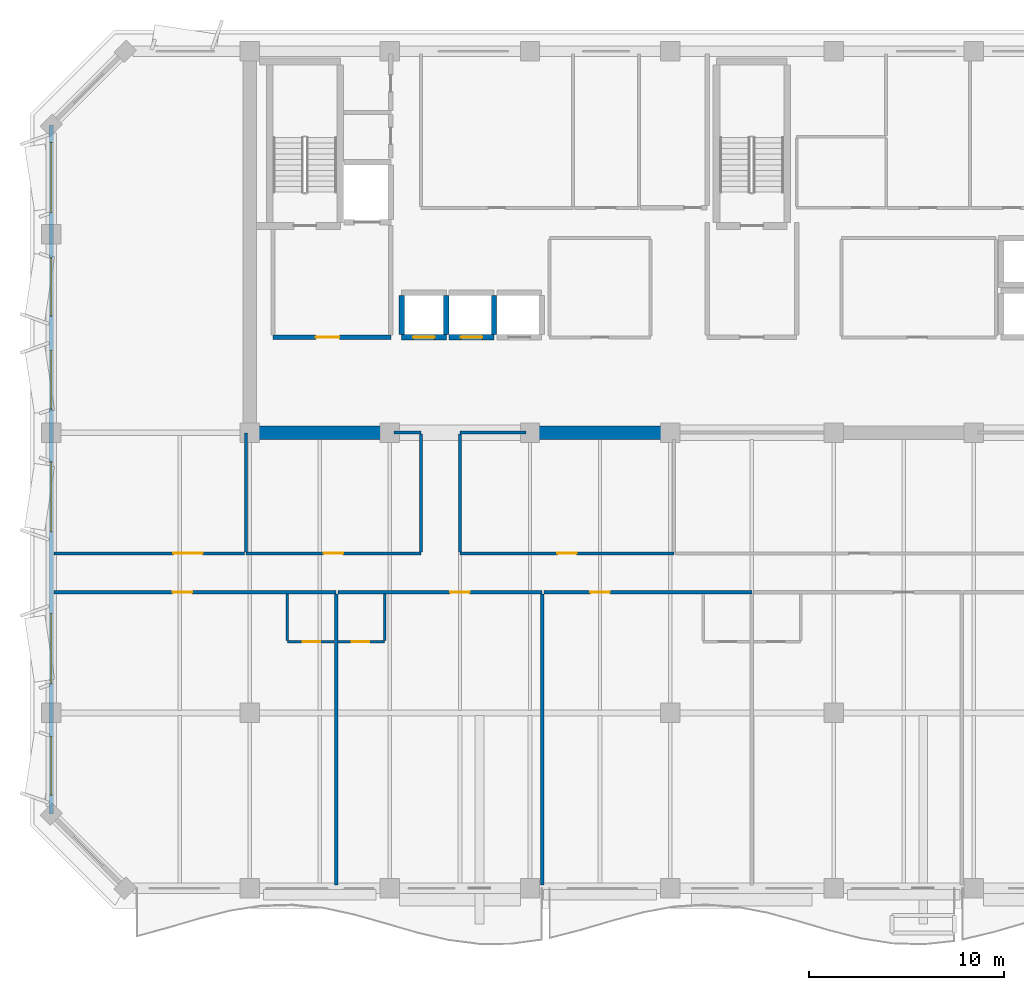
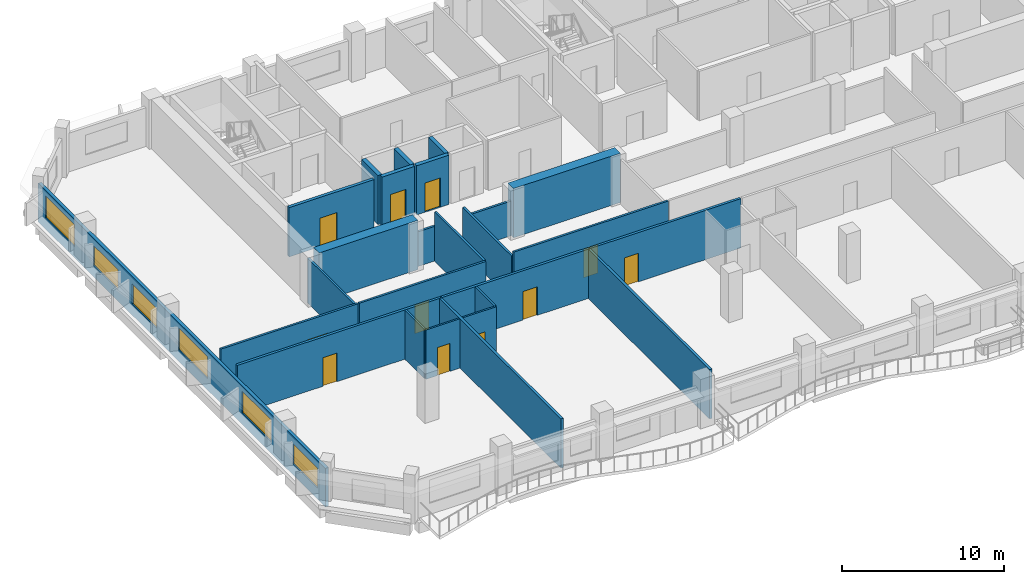
# One storey, part 3 of 10: 26 walls, 11 doors, 6 windows, 17 openings.
"""IFC4 building model written with IfcOpenShell, lengths in metres."""

from ifc_helpers import new_model, si_unit, direction, frame, frame_2d, origin, place, context, subcontext, project, spatial, rectangle, extrude, material, layer, layer_set, type_object, element, fill, save


model = new_model("IFC4")

# Units and contexts
model_context = context("Model", 3, precision=1e-05, world=origin(), true_north=direction((0.0, 1.0)))
body_context = subcontext(model_context, "Body", "Model", "MODEL_VIEW")
ifc_project = project(units=[si_unit("LENGTHUNIT", "METRE"), si_unit("AREAUNIT", "SQUARE_METRE"), si_unit("VOLUMEUNIT", "CUBIC_METRE"), si_unit("PLANEANGLEUNIT", "RADIAN"), si_unit("MASSUNIT", "GRAM", prefix="KILO")], contexts=[model_context])

# Site, building, storey
site_placement = place(None, origin())
site = spatial("IfcSite", under=ifc_project, at=site_placement, CompositionType="ELEMENT")
building_placement = place(site_placement, origin())
building = spatial("IfcBuilding", under=site, at=building_placement, Name="Kaelvorn Grand Hotel", CompositionType="ELEMENT")
storey_placement = place(building_placement, frame((0.0, 0.0, 260.75)))
storey = spatial("IfcBuildingStorey", under=building, at=storey_placement, Name="L64", CompositionType="ELEMENT", Elevation=260.75)

# Walls
ifc_material_1 = material(Name="Concrete C50/60", Category="concrete")
ifc_layer_1 = layer(ifc_material_1, 0.699951171875)
ifc_layer_set_1 = layer_set([ifc_layer_1], Name="Concrete C50/60")
wall_type_1 = type_object("IfcWallType", Name="WL-CORE-700-C50", PredefinedType="SHEAR", material=ifc_layer_set_1)
wall_1_placement = place(storey_placement, frame((16.554931640625, 29.39990234375, 0.0), z_axis=(0.0, 0.0, 1.0), x_axis=(1.0, 0.0, 0.0)))
element("IfcWall", 1, at=wall_1_placement, inside=storey, type_object=wall_type_1, Name="L64 Rear-Core Coupled Shear Pier S1", PredefinedType="SHEAR", context=body_context, shape_type="SweptSolid", body=[
    extrude(rectangle(XDim=7.045166015625, YDim=0.699951171875, at=frame_2d((3.5224609375, 0.0))), origin(), (0.0, 0.0, 1.0), 3.7099609375),
])
wall_2_placement = place(storey_placement, frame((30.39990234375, 29.39990234375, 0.0), z_axis=(0.0, 0.0, 1.0), x_axis=(1.0, 0.0, 0.0)))
element("IfcWall", 2, at=wall_2_placement, inside=storey, type_object=wall_type_1, Name="L64 Rear-Core Coupled Shear Pier S2", PredefinedType="SHEAR", context=body_context, shape_type="SweptSolid", body=[
    extrude(rectangle(XDim=7.60009765625, YDim=0.699951171875, at=frame_2d((3.800048828125, 0.0))), origin(), (0.0, 0.0, 1.0), 3.7099609375),
])

# Wall, openings, windows
ifc_material_2 = material(Name="Concrete C40/50", Category="concrete")
ifc_layer_2 = layer(ifc_material_2, 0.219970703125)
ifc_layer_set_2 = layer_set([ifc_layer_2], Name="Concrete C40/50")
wall_type_2 = type_object("IfcWallType", Name="WL-EXT-220-C40", PredefinedType="SOLIDWALL", material=ifc_layer_set_2)
wall_3_placement = place(storey_placement, frame((6.0, 45.199951171875, 0.0), z_axis=(0.0, 0.0, 1.0), x_axis=(0.0, -1.0, 0.0)))
wall_3 = element("IfcWall", 3, at=wall_3_placement, inside=storey, type_object=wall_type_2, Name="L64 Exterior Architectural Concrete Wall 07", PredefinedType="SOLIDWALL", context=body_context, shape_type="SweptSolid", body=[
    extrude(rectangle(XDim=35.39990234375, YDim=0.219970703125, at=frame_2d((17.699951171875, 0.0))), origin(), (0.0, 0.0, 1.0), 2.909912109375),
])
opening_1_placement = place(wall_3_placement, frame((31.4150390625, 0.0, 0.85009765625)))
opening_1 = element("IfcOpeningElement", 4, at=opening_1_placement, cuts=wall_3, Name="Opening W5", PredefinedType="OPENING", context=body_context, shape_type="SweptSolid", body=[
    extrude(rectangle(XDim=3.0, YDim=1.5, at=frame_2d((1.5, 0.75))), frame((0.0, 0.1201171875, 0.0), z_axis=(0.0, -1.0, 0.0), x_axis=(1.0, 0.0, 0.0)), (0.0, 0.0, 1.0), 0.239990234375),
])
opening_2_placement = place(wall_3_placement, frame((25.10009765625, 0.0, 0.85009765625)))
opening_2 = element("IfcOpeningElement", 5, at=opening_2_placement, cuts=wall_3, Name="Opening W3", PredefinedType="OPENING", context=body_context, shape_type="SweptSolid", body=[
    extrude(rectangle(XDim=3.60009765625, YDim=1.64990234375, at=frame_2d((1.800048828125, 0.824951171875))), frame((0.0, 0.1201171875, 0.0), z_axis=(0.0, -1.0, 0.0), x_axis=(1.0, 0.0, 0.0)), (0.0, 0.0, 1.0), 0.239990234375),
])
opening_3_placement = place(wall_3_placement, frame((17.300048828125, 0.0, 0.85009765625)))
opening_3 = element("IfcOpeningElement", 6, at=opening_3_placement, cuts=wall_3, Name="Opening W3", PredefinedType="OPENING", context=body_context, shape_type="SweptSolid", body=[
    extrude(rectangle(XDim=3.60009765625, YDim=1.64990234375, at=frame_2d((1.800048828125, 0.824951171875))), frame((0.0, 0.1201171875, 0.0), z_axis=(0.0, -1.0, 0.0), x_axis=(1.0, 0.0, 0.0)), (0.0, 0.0, 1.0), 0.239990234375),
])
opening_4_placement = place(wall_3_placement, frame((11.5849609375, 0.0, 0.85009765625)))
opening_4 = element("IfcOpeningElement", 7, at=opening_4_placement, cuts=wall_3, Name="Opening W5", PredefinedType="OPENING", context=body_context, shape_type="SweptSolid", body=[
    extrude(rectangle(XDim=3.0, YDim=1.5, at=frame_2d((1.5, 0.75))), frame((0.0, 0.1201171875, 0.0), z_axis=(0.0, -1.0, 0.0), x_axis=(1.0, 0.0, 0.0)), (0.0, 0.0, 1.0), 0.239990234375),
])
opening_5_placement = place(wall_3_placement, frame((6.81494140625, 0.0, 0.85009765625)))
opening_5 = element("IfcOpeningElement", 8, at=opening_5_placement, cuts=wall_3, Name="Opening W5", PredefinedType="OPENING", context=body_context, shape_type="SweptSolid", body=[
    extrude(rectangle(XDim=3.0, YDim=1.5, at=frame_2d((1.5, 0.75))), frame((0.0, 0.1201171875, 0.0), z_axis=(0.0, -1.0, 0.0), x_axis=(1.0, 0.0, 0.0)), (0.0, 0.0, 1.0), 0.239990234375),
])
opening_6_placement = place(wall_3_placement, frame((0.885009765625, 0.0, 0.85009765625)))
opening_6 = element("IfcOpeningElement", 9, at=opening_6_placement, cuts=wall_3, Name="Opening W3", PredefinedType="OPENING", context=body_context, shape_type="SweptSolid", body=[
    extrude(rectangle(XDim=3.60009765625, YDim=1.64990234375, at=frame_2d((1.800048828125, 0.824951171875))), frame((0.0, 0.1201171875, 0.0), z_axis=(0.0, -1.0, 0.0), x_axis=(1.0, 0.0, 0.0)), (0.0, 0.0, 1.0), 0.239990234375),
])
ifc_material_3 = material(Name="Laminated Low-E Glass", Category="glass")
window_type_1 = type_object("IfcWindowType", Name="WIN-NTH-3000x1500", PartitioningType="SINGLE_PANEL", PredefinedType="WINDOW", material=ifc_material_3)
window_1_placement = place(opening_1_placement, origin())
window_1 = element("IfcWindow", 10, at=window_1_placement, inside=storey, type_object=window_type_1, Name="L64 W Wing Tilted-Frame Ribbon Window W01", OverallHeight=1.5, OverallWidth=3.0, PartitioningType="SINGLE_PANEL", PredefinedType="WINDOW", context=body_context, shape_type="SweptSolid", body=[
    extrude(rectangle(XDim=3.0, YDim=1.5, at=frame_2d((1.5, 0.75))), frame((0.0, 0.030029296875, 0.0), z_axis=(0.0, -1.0, 0.0), x_axis=(1.0, 0.0, 0.0)), (0.0, 0.0, 1.0), 0.06005859375),
])
fill(opening_1, window_1)
window_2_placement = place(opening_4_placement, origin())
window_2 = element("IfcWindow", 11, at=window_2_placement, inside=storey, type_object=window_type_1, Name="L64 W Wing Tilted-Frame Ribbon Window W04", OverallHeight=1.5, OverallWidth=3.0, PartitioningType="SINGLE_PANEL", PredefinedType="WINDOW", context=body_context, shape_type="SweptSolid", body=[
    extrude(rectangle(XDim=3.0, YDim=1.5, at=frame_2d((1.5, 0.75))), frame((0.0, 0.030029296875, 0.0), z_axis=(0.0, -1.0, 0.0), x_axis=(1.0, 0.0, 0.0)), (0.0, 0.0, 1.0), 0.06005859375),
])
fill(opening_4, window_2)
window_3_placement = place(opening_5_placement, origin())
window_3 = element("IfcWindow", 12, at=window_3_placement, inside=storey, type_object=window_type_1, Name="L64 W Wing Tilted-Frame Ribbon Window W05", OverallHeight=1.5, OverallWidth=3.0, PartitioningType="SINGLE_PANEL", PredefinedType="WINDOW", context=body_context, shape_type="SweptSolid", body=[
    extrude(rectangle(XDim=3.0, YDim=1.5, at=frame_2d((1.5, 0.75))), frame((0.0, 0.030029296875, 0.0), z_axis=(0.0, -1.0, 0.0), x_axis=(1.0, 0.0, 0.0)), (0.0, 0.0, 1.0), 0.06005859375),
])
fill(opening_5, window_3)
window_type_2 = type_object("IfcWindowType", Name="WIN-RIB-3600x1750", PartitioningType="SINGLE_PANEL", PredefinedType="WINDOW", material=ifc_material_3)
window_4_placement = place(opening_2_placement, origin())
window_4 = element("IfcWindow", 13, at=window_4_placement, inside=storey, type_object=window_type_2, Name="L64 W Wing Tilted-Frame Ribbon Window W02", OverallHeight=1.64990234375, OverallWidth=3.60009765625, PartitioningType="SINGLE_PANEL", PredefinedType="WINDOW", context=body_context, shape_type="SweptSolid", body=[
    extrude(rectangle(XDim=3.60009765625, YDim=1.64990234375, at=frame_2d((1.800048828125, 0.824951171875))), frame((0.0, 0.030029296875, 0.0), z_axis=(0.0, -1.0, 0.0), x_axis=(1.0, 0.0, 0.0)), (0.0, 0.0, 1.0), 0.06005859375),
])
fill(opening_2, window_4)
window_5_placement = place(opening_3_placement, origin())
window_5 = element("IfcWindow", 14, at=window_5_placement, inside=storey, type_object=window_type_2, Name="L64 W Wing Tilted-Frame Ribbon Window W03", OverallHeight=1.64990234375, OverallWidth=3.60009765625, PartitioningType="SINGLE_PANEL", PredefinedType="WINDOW", context=body_context, shape_type="SweptSolid", body=[
    extrude(rectangle(XDim=3.60009765625, YDim=1.64990234375, at=frame_2d((1.800048828125, 0.824951171875))), frame((0.0, 0.030029296875, 0.0), z_axis=(0.0, -1.0, 0.0), x_axis=(1.0, 0.0, 0.0)), (0.0, 0.0, 1.0), 0.06005859375),
])
fill(opening_3, window_5)
window_6_placement = place(opening_6_placement, origin())
window_6 = element("IfcWindow", 15, at=window_6_placement, inside=storey, type_object=window_type_2, Name="L64 W Wing Tilted-Frame Ribbon Window W06", OverallHeight=1.64990234375, OverallWidth=3.60009765625, PartitioningType="SINGLE_PANEL", PredefinedType="WINDOW", context=body_context, shape_type="SweptSolid", body=[
    extrude(rectangle(XDim=3.60009765625, YDim=1.64990234375, at=frame_2d((1.800048828125, 0.824951171875))), frame((0.0, 0.030029296875, 0.0), z_axis=(0.0, -1.0, 0.0), x_axis=(1.0, 0.0, 0.0)), (0.0, 0.0, 1.0), 0.06005859375),
])
fill(opening_6, window_6)

# Wall, opening, door
ifc_material_4 = material(Name="Moisture-Resistant Tile & Stud Board")
ifc_layer_3 = layer(ifc_material_4, 0.125)
ifc_layer_set_3 = layer_set([ifc_layer_3], Name="Moisture-Resistant Tile & Stud Board")
wall_type_3 = type_object("IfcWallType", Name="WL-PART-125-WET", PredefinedType="PARTITIONING", material=ifc_layer_set_3)
wall_4_placement = place(storey_placement, frame((18.13330078125, 18.64990234375, 0.0), z_axis=(0.0, 0.0, 1.0), x_axis=(1.0, 0.0, 0.0)))
wall_4 = element("IfcWall", 16, at=wall_4_placement, inside=storey, type_object=wall_type_3, Name="L64 En-suite Bathroom L64-01 S Partition", PredefinedType="PARTITIONING", context=body_context, shape_type="SweptSolid", body=[
    extrude(rectangle(XDim=2.405029296875, YDim=0.125, at=frame_2d((1.20263671875, 0.0))), origin(), (0.0, 0.0, 1.0), 3.7099609375),
])
opening_7_placement = place(wall_4_placement, frame((0.800048828125, 0.0, 0.0)))
opening_7 = element("IfcOpeningElement", 17, at=opening_7_placement, cuts=wall_4, Name="Opening DI4", PredefinedType="OPENING", context=body_context, shape_type="SweptSolid", body=[
    extrude(rectangle(XDim=0.89990234375, YDim=2.10009765625, at=frame_2d((0.449951171875, 1.050048828125))), frame((0.0, 0.072509765625, 0.0), z_axis=(0.0, -1.0, 0.0), x_axis=(1.0, 0.0, 0.0)), (0.0, 0.0, 1.0), 0.14501953125),
])
ifc_material_5 = material(Name="Timber Veneer Leaf", Category="wood")
door_type_1 = type_object("IfcDoorType", Name="DR-INT-BATH-900x2100", OperationType="NOTDEFINED", PredefinedType="DOOR", material=ifc_material_5)
door_1_placement = place(opening_7_placement, origin())
door_1 = element("IfcDoor", 18, at=door_1_placement, inside=storey, type_object=door_type_1, Name="L64 En-suite Bathroom L64-01 Door", OperationType="SINGLE_SWING_RIGHT", OverallHeight=2.10009765625, OverallWidth=0.89990234375, PredefinedType="DOOR", context=body_context, shape_type="SweptSolid", body=[
    extrude(rectangle(XDim=0.89990234375, YDim=2.10009765625, at=frame_2d((0.449951171875, 1.050048828125))), frame((0.0, 0.02490234375, 0.0), z_axis=(0.0, -1.0, 0.0), x_axis=(1.0, 0.0, 0.0)), (0.0, 0.0, 1.0), 0.050048828125),
])
fill(opening_7, door_1)

# Wall
wall_5_placement = place(storey_placement, frame((18.13330078125, 18.717529296875, 0.0), z_axis=(0.0, 0.0, 1.0), x_axis=(0.0, 1.0, 0.0)))
element("IfcWall", 19, at=wall_5_placement, inside=storey, type_object=wall_type_3, Name="L64 En-suite Bathroom L64-01 W Partition", PredefinedType="PARTITIONING", context=body_context, shape_type="SweptSolid", body=[
    extrude(rectangle(XDim=2.387451171875, YDim=0.125, at=frame_2d((1.19384765625, 0.0))), origin(), (0.0, 0.0, 1.0), 3.7099609375),
])

# Wall, opening, door
wall_6_placement = place(storey_placement, frame((20.728515625, 18.64990234375, 0.0), z_axis=(0.0, 0.0, 1.0), x_axis=(1.0, 0.0, 0.0)))
wall_6 = element("IfcWall", 20, at=wall_6_placement, inside=storey, type_object=wall_type_3, Name="L64 En-suite Bathroom L64-02 S Partition", PredefinedType="PARTITIONING", context=body_context, shape_type="SweptSolid", body=[
    extrude(rectangle(XDim=2.40478515625, YDim=0.125, at=frame_2d((1.202392578125, 0.0))), origin(), (0.0, 0.0, 1.0), 3.7099609375),
])
opening_8_placement = place(wall_6_placement, frame((0.705078125, 0.0, 0.0)))
opening_8 = element("IfcOpeningElement", 21, at=opening_8_placement, cuts=wall_6, Name="Opening DI4", PredefinedType="OPENING", context=body_context, shape_type="SweptSolid", body=[
    extrude(rectangle(XDim=0.89990234375, YDim=2.10009765625, at=frame_2d((0.449951171875, 1.050048828125))), frame((0.0, 0.072509765625, 0.0), z_axis=(0.0, -1.0, 0.0), x_axis=(1.0, 0.0, 0.0)), (0.0, 0.0, 1.0), 0.14501953125),
])
door_2_placement = place(opening_8_placement, origin())
door_2 = element("IfcDoor", 22, at=door_2_placement, inside=storey, type_object=door_type_1, Name="L64 En-suite Bathroom L64-02 Door", OperationType="SINGLE_SWING_RIGHT", OverallHeight=2.10009765625, OverallWidth=0.89990234375, PredefinedType="DOOR", context=body_context, shape_type="SweptSolid", body=[
    extrude(rectangle(XDim=0.89990234375, YDim=2.10009765625, at=frame_2d((0.449951171875, 1.050048828125))), frame((0.0, 0.02490234375, 0.0), z_axis=(0.0, -1.0, 0.0), x_axis=(1.0, 0.0, 0.0)), (0.0, 0.0, 1.0), 0.050048828125),
])
fill(opening_8, door_2)

# Wall
wall_7_placement = place(storey_placement, frame((23.13330078125, 18.717529296875, 0.0), z_axis=(0.0, 0.0, 1.0), x_axis=(0.0, 1.0, 0.0)))
element("IfcWall", 23, at=wall_7_placement, inside=storey, type_object=wall_type_3, Name="L64 En-suite Bathroom L64-02 E Partition", PredefinedType="PARTITIONING", context=body_context, shape_type="SweptSolid", body=[
    extrude(rectangle(XDim=2.387451171875, YDim=0.125, at=frame_2d((1.19384765625, 0.0))), origin(), (0.0, 0.0, 1.0), 3.7099609375),
])

# Wall, opening, door
ifc_material_6 = material(Name="Acoustic Gypsum & Stud Partition")
ifc_layer_4 = layer(ifc_material_6, 0.14990234375)
ifc_layer_set_4 = layer_set([ifc_layer_4], Name="Acoustic Gypsum & Stud Partition")
wall_type_4 = type_object("IfcWallType", Name="WL-PART-150-EI60", PredefinedType="PARTITIONING", material=ifc_layer_set_4)
wall_8_placement = place(storey_placement, frame((16.0, 23.199951171875, 0.0), z_axis=(0.0, 0.0, 1.0), x_axis=(1.0, 0.0, 0.0)))
wall_8 = element("IfcWall", 24, at=wall_8_placement, inside=storey, type_object=wall_type_4, Name="L64 Reading Library Lounge S Partition", PredefinedType="PARTITIONING", context=body_context, shape_type="SweptSolid", body=[
    extrude(rectangle(XDim=9.0, YDim=0.14990234375, at=frame_2d((4.5, 0.0))), origin(), (0.0, 0.0, 1.0), 3.7099609375),
])
opening_9_placement = place(wall_8_placement, frame((4.0, 0.0, 0.0)))
opening_9 = element("IfcOpeningElement", 25, at=opening_9_placement, cuts=wall_8, Name="Opening DI3", PredefinedType="OPENING", context=body_context, shape_type="SweptSolid", body=[
    extrude(rectangle(XDim=1.0, YDim=2.14990234375, at=frame_2d((0.5, 1.074951171875))), frame((0.0, 0.0849609375, 0.0), z_axis=(0.0, -1.0, 0.0), x_axis=(1.0, 0.0, 0.0)), (0.0, 0.0, 1.0), 0.169921875),
])
ifc_material_7 = material(Name="Timber Veneer Fire Leaf", Category="wood")
door_type_2 = type_object("IfcDoorType", Name="DR-INT-GUEST-1000x2150", OperationType="NOTDEFINED", PredefinedType="DOOR", material=ifc_material_7)
door_3_placement = place(opening_9_placement, origin())
door_3 = element("IfcDoor", 26, at=door_3_placement, inside=storey, type_object=door_type_2, Name="L64 Reading Library Lounge Door", OperationType="SINGLE_SWING_LEFT", OverallHeight=2.14990234375, OverallWidth=1.0, PredefinedType="DOOR", context=body_context, shape_type="SweptSolid", body=[
    extrude(rectangle(XDim=1.0, YDim=2.14990234375, at=frame_2d((0.5, 1.074951171875))), frame((0.0, 0.02490234375, 0.0), z_axis=(0.0, -1.0, 0.0), x_axis=(1.0, 0.0, 0.0)), (0.0, 0.0, 1.0), 0.050048828125),
])
fill(opening_9, door_3)

# Walls
wall_9_placement = place(storey_placement, frame((23.610107421875, 29.39990234375, 0.0), z_axis=(0.0, 0.0, 1.0), x_axis=(1.0, 0.0, 0.0)))
element("IfcWall", 27, at=wall_9_placement, inside=storey, type_object=wall_type_4, Name="L64 Reading Library Lounge N Partition", PredefinedType="PARTITIONING", context=body_context, shape_type="SweptSolid", body=[
    extrude(rectangle(XDim=1.389892578125, YDim=0.14990234375, at=frame_2d((0.69482421875, 0.0))), origin(), (0.0, 0.0, 1.0), 2.610107421875),
])
wall_10_placement = place(storey_placement, frame((16.0, 23.280029296875, 0.0), z_axis=(0.0, 0.0, 1.0), x_axis=(0.0, 1.0, 0.0)))
element("IfcWall", 28, at=wall_10_placement, inside=storey, type_object=wall_type_4, Name="L64 Reading Library Lounge W Partition", PredefinedType="PARTITIONING", context=body_context, shape_type="SweptSolid", body=[
    extrude(rectangle(XDim=6.10986328125, YDim=0.14990234375, at=frame_2d((3.054931640625, 0.0))), origin(), (0.0, 0.0, 1.0), 3.35009765625),
])
wall_11_placement = place(storey_placement, frame((25.0, 23.280029296875, 0.0), z_axis=(0.0, 0.0, 1.0), x_axis=(0.0, 1.0, 0.0)))
element("IfcWall", 29, at=wall_11_placement, inside=storey, type_object=wall_type_4, Name="L64 Reading Library Lounge E Partition", PredefinedType="PARTITIONING", context=body_context, shape_type="SweptSolid", body=[
    extrude(rectangle(XDim=6.0400390625, YDim=0.14990234375, at=frame_2d((3.02001953125, 0.0))), origin(), (0.0, 0.0, 1.0), 3.7099609375),
])

# Wall, opening, door
wall_12_placement = place(storey_placement, frame((27.0, 23.199951171875, 0.0), z_axis=(0.0, 0.0, 1.0), x_axis=(1.0, 0.0, 0.0)))
wall_12 = element("IfcWall", 30, at=wall_12_placement, inside=storey, type_object=wall_type_4, Name="L64 Chef Finishing Kitchen S Partition", PredefinedType="PARTITIONING", context=body_context, shape_type="SweptSolid", body=[
    extrude(rectangle(XDim=11.0, YDim=0.14990234375, at=frame_2d((5.5, 0.0))), origin(), (0.0, 0.0, 1.0), 3.7099609375),
])
opening_10_placement = place(wall_12_placement, frame((5.0, 0.0, 0.0)))
opening_10 = element("IfcOpeningElement", 31, at=opening_10_placement, cuts=wall_12, Name="Opening DI3", PredefinedType="OPENING", context=body_context, shape_type="SweptSolid", body=[
    extrude(rectangle(XDim=1.0, YDim=2.14990234375, at=frame_2d((0.5, 1.074951171875))), frame((0.0, 0.0849609375, 0.0), z_axis=(0.0, -1.0, 0.0), x_axis=(1.0, 0.0, 0.0)), (0.0, 0.0, 1.0), 0.169921875),
])
door_4_placement = place(opening_10_placement, origin())
door_4 = element("IfcDoor", 32, at=door_4_placement, inside=storey, type_object=door_type_2, Name="L64 Chef Finishing Kitchen Door", OperationType="SINGLE_SWING_RIGHT", OverallHeight=2.14990234375, OverallWidth=1.0, PredefinedType="DOOR", context=body_context, shape_type="SweptSolid", body=[
    extrude(rectangle(XDim=1.0, YDim=2.14990234375, at=frame_2d((0.5, 1.074951171875))), frame((0.0, 0.02490234375, 0.0), z_axis=(0.0, -1.0, 0.0), x_axis=(1.0, 0.0, 0.0)), (0.0, 0.0, 1.0), 0.050048828125),
])
fill(opening_10, door_4)

# Walls
wall_13_placement = place(storey_placement, frame((27.0, 29.39990234375, 0.0), z_axis=(0.0, 0.0, 1.0), x_axis=(1.0, 0.0, 0.0)))
element("IfcWall", 33, at=wall_13_placement, inside=storey, type_object=wall_type_4, Name="L64 Chef Finishing Kitchen N Partition", PredefinedType="PARTITIONING", context=body_context, shape_type="SweptSolid", body=[
    extrude(rectangle(XDim=3.389892578125, YDim=0.14990234375, at=frame_2d((1.69482421875, 0.0))), origin(), (0.0, 0.0, 1.0), 2.610107421875),
])
wall_14_placement = place(storey_placement, frame((27.0, 23.280029296875, 0.0), z_axis=(0.0, 0.0, 1.0), x_axis=(0.0, 1.0, 0.0)))
element("IfcWall", 34, at=wall_14_placement, inside=storey, type_object=wall_type_4, Name="L64 Chef Finishing Kitchen W Partition", PredefinedType="PARTITIONING", context=body_context, shape_type="SweptSolid", body=[
    extrude(rectangle(XDim=6.0400390625, YDim=0.14990234375, at=frame_2d((3.02001953125, 0.0))), origin(), (0.0, 0.0, 1.0), 3.35009765625),
])

# Wall, opening, door
wall_15_placement = place(storey_placement, frame((6.14990234375, 23.199951171875, 0.0), z_axis=(0.0, 0.0, 1.0), x_axis=(1.0, 0.0, 0.0)))
wall_15 = element("IfcWall", 35, at=wall_15_placement, inside=storey, type_object=wall_type_4, Name="L64 West Sky Concierge Admin Office S Partition", PredefinedType="PARTITIONING", context=body_context, shape_type="SweptSolid", body=[
    extrude(rectangle(XDim=9.77001953125, YDim=0.14990234375, at=frame_2d((4.885009765625, 0.0))), origin(), (0.0, 0.0, 1.0), 3.7099609375),
])
opening_11_placement = place(wall_15_placement, frame((6.1298828125, 0.0, 0.0)))
opening_11 = element("IfcOpeningElement", 36, at=opening_11_placement, cuts=wall_15, Name="Opening DI5", PredefinedType="OPENING", context=body_context, shape_type="SweptSolid", body=[
    extrude(rectangle(XDim=1.5, YDim=2.25, at=frame_2d((0.75, 1.125))), frame((0.0, 0.0849609375, 0.0), z_axis=(0.0, -1.0, 0.0), x_axis=(1.0, 0.0, 0.0)), (0.0, 0.0, 1.0), 0.169921875),
])
door_type_3 = type_object("IfcDoorType", Name="DR-INT-SALON-1500x2250", OperationType="DOUBLE_DOOR_SINGLE_SWING", PredefinedType="DOOR", material=ifc_material_7)
door_5_placement = place(opening_11_placement, origin())
door_5 = element("IfcDoor", 37, at=door_5_placement, inside=storey, type_object=door_type_3, Name="L64 West Sky Concierge Admin Office Door", OperationType="DOUBLE_DOOR_SINGLE_SWING", OverallHeight=2.25, OverallWidth=1.5, PredefinedType="DOOR", context=body_context, shape_type="SweptSolid", body=[
    extrude(rectangle(XDim=1.5, YDim=2.25, at=frame_2d((0.75, 1.125))), frame((0.0, 0.02490234375, 0.0), z_axis=(0.0, -1.0, 0.0), x_axis=(1.0, 0.0, 0.0)), (0.0, 0.0, 1.0), 0.050048828125),
])
fill(opening_11, door_5)

ifc_layer_5 = layer(ifc_material_6, 0.179931640625)
ifc_layer_set_5 = layer_set([ifc_layer_5], Name="Acoustic Gypsum & Stud Partition")
wall_type_5 = type_object("IfcWallType", Name="WL-PART-180-EI60", PredefinedType="PARTITIONING", material=ifc_layer_set_5)
wall_16_placement = place(storey_placement, frame((6.14990234375, 21.199951171875, 0.0), z_axis=(0.0, 0.0, 1.0), x_axis=(1.0, 0.0, 0.0)))
wall_16 = element("IfcWall", 38, at=wall_16_placement, inside=storey, type_object=wall_type_5, Name="L64 Ambassador Junior Suite L64-01 N Partition", PredefinedType="PARTITIONING", context=body_context, shape_type="SweptSolid", body=[
    extrude(rectangle(XDim=14.4833984375, YDim=0.179931640625, at=frame_2d((7.24169921875, 0.0))), origin(), (0.0, 0.0, 1.0), 3.7099609375),
])
opening_12_placement = place(wall_16_placement, frame((6.0849609375, 0.0, 0.0)))
opening_12 = element("IfcOpeningElement", 39, at=opening_12_placement, cuts=wall_16, Name="Opening DI3", PredefinedType="OPENING", context=body_context, shape_type="SweptSolid", body=[
    extrude(rectangle(XDim=1.0, YDim=2.14990234375, at=frame_2d((0.5, 1.074951171875))), frame((0.0, 0.10009765625, 0.0), z_axis=(0.0, -1.0, 0.0), x_axis=(1.0, 0.0, 0.0)), (0.0, 0.0, 1.0), 0.199951171875),
])
door_6_placement = place(opening_12_placement, origin())
door_6 = element("IfcDoor", 40, at=door_6_placement, inside=storey, type_object=door_type_2, Name="L64 Ambassador Junior Suite L64-01 Door", OperationType="SINGLE_SWING_LEFT", OverallHeight=2.14990234375, OverallWidth=1.0, PredefinedType="DOOR", context=body_context, shape_type="SweptSolid", body=[
    extrude(rectangle(XDim=1.0, YDim=2.14990234375, at=frame_2d((0.5, 1.074951171875))), frame((0.0, 0.02490234375, 0.0), z_axis=(0.0, -1.0, 0.0), x_axis=(1.0, 0.0, 0.0)), (0.0, 0.0, 1.0), 0.050048828125),
])
fill(opening_12, door_6)

# Wall
wall_17_placement = place(storey_placement, frame((20.63330078125, 6.14990234375, 0.0), z_axis=(0.0, 0.0, 1.0), x_axis=(0.0, 1.0, 0.0)))
element("IfcWall", 41, at=wall_17_placement, inside=storey, type_object=wall_type_5, Name="L64 Ambassador Junior Suite L64-01 E Partition", PredefinedType="PARTITIONING", context=body_context, shape_type="SweptSolid", body=[
    extrude(rectangle(XDim=14.955078125, YDim=0.179931640625, at=frame_2d((7.4775390625, 0.0))), origin(), (0.0, 0.0, 1.0), 3.7099609375),
])

# Wall, opening, door
wall_18_placement = place(storey_placement, frame((20.728515625, 21.199951171875, 0.0), z_axis=(0.0, 0.0, 1.0), x_axis=(1.0, 0.0, 0.0)))
wall_18 = element("IfcWall", 42, at=wall_18_placement, inside=storey, type_object=wall_type_5, Name="L64 Ambassador Junior Suite L64-02 N Partition", PredefinedType="PARTITIONING", context=body_context, shape_type="SweptSolid", body=[
    extrude(rectangle(XDim=10.48828125, YDim=0.179931640625, at=frame_2d((5.244140625, 0.0))), origin(), (0.0, 0.0, 1.0), 3.7099609375),
])
opening_13_placement = place(wall_18_placement, frame((5.771484375, 0.0, 0.0)))
opening_13 = element("IfcOpeningElement", 43, at=opening_13_placement, cuts=wall_18, Name="Opening DI3", PredefinedType="OPENING", context=body_context, shape_type="SweptSolid", body=[
    extrude(rectangle(XDim=1.0, YDim=2.14990234375, at=frame_2d((0.5, 1.074951171875))), frame((0.0, 0.10009765625, 0.0), z_axis=(0.0, -1.0, 0.0), x_axis=(1.0, 0.0, 0.0)), (0.0, 0.0, 1.0), 0.199951171875),
])
door_7_placement = place(opening_13_placement, origin())
door_7 = element("IfcDoor", 44, at=door_7_placement, inside=storey, type_object=door_type_2, Name="L64 Ambassador Junior Suite L64-02 Door", OperationType="SINGLE_SWING_LEFT", OverallHeight=2.14990234375, OverallWidth=1.0, PredefinedType="DOOR", context=body_context, shape_type="SweptSolid", body=[
    extrude(rectangle(XDim=1.0, YDim=2.14990234375, at=frame_2d((0.5, 1.074951171875))), frame((0.0, 0.02490234375, 0.0), z_axis=(0.0, -1.0, 0.0), x_axis=(1.0, 0.0, 0.0)), (0.0, 0.0, 1.0), 0.050048828125),
])
fill(opening_13, door_7)

# Wall
wall_19_placement = place(storey_placement, frame((31.216796875, 6.14990234375, 0.0), z_axis=(0.0, 0.0, 1.0), x_axis=(0.0, 1.0, 0.0)))
element("IfcWall", 45, at=wall_19_placement, inside=storey, type_object=wall_type_5, Name="L64 Ambassador Junior Suite L64-02 E Partition", PredefinedType="PARTITIONING", context=body_context, shape_type="SweptSolid", body=[
    extrude(rectangle(XDim=14.955078125, YDim=0.179931640625, at=frame_2d((7.4775390625, 0.0))), origin(), (0.0, 0.0, 1.0), 3.7099609375),
])

# Wall, opening, door
wall_20_placement = place(storey_placement, frame((31.31201171875, 21.199951171875, 0.0), z_axis=(0.0, 0.0, 1.0), x_axis=(1.0, 0.0, 0.0)))
wall_20 = element("IfcWall", 46, at=wall_20_placement, inside=storey, type_object=wall_type_5, Name="L64 Ambassador Junior Suite L64-03 N Partition", PredefinedType="PARTITIONING", context=body_context, shape_type="SweptSolid", body=[
    extrude(rectangle(XDim=10.68798828125, YDim=0.179931640625, at=frame_2d((5.343994140625, 0.0))), origin(), (0.0, 0.0, 1.0), 3.7099609375),
])
opening_14_placement = place(wall_20_placement, frame((2.38818359375, 0.0, 0.0)))
opening_14 = element("IfcOpeningElement", 47, at=opening_14_placement, cuts=wall_20, Name="Opening DI3", PredefinedType="OPENING", context=body_context, shape_type="SweptSolid", body=[
    extrude(rectangle(XDim=1.0, YDim=2.14990234375, at=frame_2d((0.5, 1.074951171875))), frame((0.0, 0.10009765625, 0.0), z_axis=(0.0, -1.0, 0.0), x_axis=(1.0, 0.0, 0.0)), (0.0, 0.0, 1.0), 0.199951171875),
])
door_8_placement = place(opening_14_placement, origin())
door_8 = element("IfcDoor", 48, at=door_8_placement, inside=storey, type_object=door_type_2, Name="L64 Ambassador Junior Suite L64-03 Door", OperationType="SINGLE_SWING_LEFT", OverallHeight=2.14990234375, OverallWidth=1.0, PredefinedType="DOOR", context=body_context, shape_type="SweptSolid", body=[
    extrude(rectangle(XDim=1.0, YDim=2.14990234375, at=frame_2d((0.5, 1.074951171875))), frame((0.0, 0.02490234375, 0.0), z_axis=(0.0, -1.0, 0.0), x_axis=(1.0, 0.0, 0.0)), (0.0, 0.0, 1.0), 0.050048828125),
])
fill(opening_14, door_8)

ifc_layer_6 = layer(ifc_material_2, 0.219970703125)
ifc_layer_set_6 = layer_set([ifc_layer_6], Name="Concrete C40/50")
wall_type_6 = type_object("IfcWallType", Name="WL-PART-220-EI120", PredefinedType="PARTITIONING", material=ifc_layer_set_6)
wall_21_placement = place(storey_placement, frame((17.39990234375, 34.300048828125, 0.0), z_axis=(0.0, 0.0, 1.0), x_axis=(1.0, 0.0, 0.0)))
wall_21 = element("IfcWall", 49, at=wall_21_placement, inside=storey, type_object=wall_type_6, Name="L64 Firefighting Lift Lobby 1 S Partition", PredefinedType="PARTITIONING", context=body_context, shape_type="SweptSolid", body=[
    extrude(rectangle(XDim=6.050048828125, YDim=0.219970703125, at=frame_2d((3.02490234375, 0.0))), origin(), (0.0, 0.0, 1.0), 3.7099609375),
])
opening_15_placement = place(wall_21_placement, frame((2.199951171875, 0.0, 0.0)))
opening_15 = element("IfcOpeningElement", 50, at=opening_15_placement, cuts=wall_21, Name="Opening DI2", PredefinedType="OPENING", context=body_context, shape_type="SweptSolid", body=[
    extrude(rectangle(XDim=1.199951171875, YDim=2.14990234375, at=frame_2d((0.60009765625, 1.074951171875))), frame((0.0, 0.1201171875, 0.0), z_axis=(0.0, -1.0, 0.0), x_axis=(1.0, 0.0, 0.0)), (0.0, 0.0, 1.0), 0.239990234375),
])
door_type_4 = type_object("IfcDoorType", Name="DR-INT-FFLOB-1200x2150", OperationType="NOTDEFINED", PredefinedType="DOOR", material=ifc_material_7)
door_9_placement = place(opening_15_placement, origin())
door_9 = element("IfcDoor", 51, at=door_9_placement, inside=storey, type_object=door_type_4, Name="L64 Firefighting Lift Lobby 1 Door", OperationType="SINGLE_SWING_LEFT", OverallHeight=2.14990234375, OverallWidth=1.199951171875, PredefinedType="DOOR", context=body_context, shape_type="SweptSolid", body=[
    extrude(rectangle(XDim=1.199951171875, YDim=2.14990234375, at=frame_2d((0.60009765625, 1.074951171875))), frame((0.0, 0.02490234375, 0.0), z_axis=(0.0, -1.0, 0.0), x_axis=(1.0, 0.0, 0.0)), (0.0, 0.0, 1.0), 0.050048828125),
])
fill(opening_15, door_9)

ifc_layer_7 = layer(ifc_material_1, 0.280029296875)
ifc_layer_set_7 = layer_set([ifc_layer_7], Name="Concrete C50/60")
wall_type_7 = type_object("IfcWallType", Name="WL-SHAFT-280-C50", PredefinedType="SHEAR", material=ifc_layer_set_7)
wall_22_placement = place(storey_placement, frame((24.0, 34.300048828125, 0.0), z_axis=(0.0, 0.0, 1.0), x_axis=(1.0, 0.0, 0.0)))
wall_22 = element("IfcWall", 52, at=wall_22_placement, inside=storey, type_object=wall_type_7, Name="L64 Lift PL-H1 Shaft South Wall", PredefinedType="SHEAR", context=body_context, shape_type="SweptSolid", body=[
    extrude(rectangle(XDim=2.300048828125, YDim=0.280029296875, at=frame_2d((1.14990234375, 0.0))), origin(), (0.0, 0.0, 1.0), 3.7099609375),
])
opening_16_placement = place(wall_22_placement, frame((0.60009765625, 0.0, 0.0)))
opening_16 = element("IfcOpeningElement", 53, at=opening_16_placement, cuts=wall_22, Name="Opening LD-PL-H1", PredefinedType="OPENING", context=body_context, shape_type="SweptSolid", body=[
    extrude(rectangle(XDim=1.10009765625, YDim=2.199951171875, at=frame_2d((0.550048828125, 1.10009765625))), frame((0.0, 0.14990234375, 0.0), z_axis=(0.0, -1.0, 0.0), x_axis=(1.0, 0.0, 0.0)), (0.0, 0.0, 1.0), 0.300048828125),
])
ifc_material_8 = material(Name="Stainless Steel", Category="steel")
door_type_5 = type_object("IfcDoorType", Name="DR-LIFT-PASS-1100x2200", OperationType="DOUBLE_DOOR_SLIDING", PredefinedType="DOOR", material=ifc_material_8)
door_10_placement = place(opening_16_placement, origin())
door_10 = element("IfcDoor", 54, at=door_10_placement, inside=storey, type_object=door_type_5, Name="L64 Lift PL-H1 Sliding Landing Door LD-PL-H1", OperationType="DOUBLE_DOOR_SLIDING", OverallHeight=2.199951171875, OverallWidth=1.10009765625, PredefinedType="DOOR", context=body_context, shape_type="SweptSolid", body=[
    extrude(rectangle(XDim=1.10009765625, YDim=2.199951171875, at=frame_2d((0.550048828125, 1.10009765625))), frame((0.0, 0.02490234375, 0.0), z_axis=(0.0, -1.0, 0.0), x_axis=(1.0, 0.0, 0.0)), (0.0, 0.0, 1.0), 0.050048828125),
])
fill(opening_16, door_10)

# Walls
for number, where, z_axis, x_axis, name in (
    (55, (24.0, 34.445068359375, 0.0), (0.0, 0.0, 1.0), (0.0, 1.0, 0.0), "L64 Lift PL-H1 Shaft West Wall"),
    (56, (26.300048828125, 34.445068359375, 0.0), (0.0, 0.0, 1.0), (0.0, 1.0, 0.0), "L64 Lift PL-H1 Shaft East Wall"),
):
    element("IfcWall", number, at=place(storey_placement, frame(where, z_axis=z_axis, x_axis=x_axis)), inside=storey, type_object=wall_type_7, Name=name, PredefinedType="SHEAR", context=body_context, shape_type="SweptSolid", body=[
        extrude(rectangle(XDim=2.010009765625, YDim=0.280029296875, at=frame_2d((1.0048828125, 0.0))), origin(), (0.0, 0.0, 1.0), 3.7099609375),
    ])

# Wall, opening, door
wall_23_placement = place(storey_placement, frame((26.449951171875, 34.300048828125, 0.0), z_axis=(0.0, 0.0, 1.0), x_axis=(1.0, 0.0, 0.0)))
wall_23 = element("IfcWall", 57, at=wall_23_placement, inside=storey, type_object=wall_type_7, Name="L64 Lift PL-H2 Shaft South Wall", PredefinedType="SHEAR", context=body_context, shape_type="SweptSolid", body=[
    extrude(rectangle(XDim=2.300048828125, YDim=0.280029296875, at=frame_2d((1.14990234375, 0.0))), origin(), (0.0, 0.0, 1.0), 3.7099609375),
])
opening_17_placement = place(wall_23_placement, frame((0.60009765625, 0.0, 0.0)))
opening_17 = element("IfcOpeningElement", 58, at=opening_17_placement, cuts=wall_23, Name="Opening LD-PL-H2", PredefinedType="OPENING", context=body_context, shape_type="SweptSolid", body=[
    extrude(rectangle(XDim=1.10009765625, YDim=2.199951171875, at=frame_2d((0.550048828125, 1.10009765625))), frame((0.0, 0.14990234375, 0.0), z_axis=(0.0, -1.0, 0.0), x_axis=(1.0, 0.0, 0.0)), (0.0, 0.0, 1.0), 0.300048828125),
])
door_11_placement = place(opening_17_placement, origin())
door_11 = element("IfcDoor", 59, at=door_11_placement, inside=storey, type_object=door_type_5, Name="L64 Lift PL-H2 Sliding Landing Door LD-PL-H2", OperationType="DOUBLE_DOOR_SLIDING", OverallHeight=2.199951171875, OverallWidth=1.10009765625, PredefinedType="DOOR", context=body_context, shape_type="SweptSolid", body=[
    extrude(rectangle(XDim=1.10009765625, YDim=2.199951171875, at=frame_2d((0.550048828125, 1.10009765625))), frame((0.0, 0.02490234375, 0.0), z_axis=(0.0, -1.0, 0.0), x_axis=(1.0, 0.0, 0.0)), (0.0, 0.0, 1.0), 0.050048828125),
])
fill(opening_17, door_11)

# Wall
wall_24_placement = place(storey_placement, frame((28.75, 34.445068359375, 0.0), z_axis=(0.0, 0.0, 1.0), x_axis=(0.0, 1.0, 0.0)))
element("IfcWall", 60, at=wall_24_placement, inside=storey, type_object=wall_type_7, Name="L64 Lift PL-H2 Shaft East Wall", PredefinedType="SHEAR", context=body_context, shape_type="SweptSolid", body=[
    extrude(rectangle(XDim=2.010009765625, YDim=0.280029296875, at=frame_2d((1.0048828125, 0.0))), origin(), (0.0, 0.0, 1.0), 3.7099609375),
])

save(model, "model.ifc")
